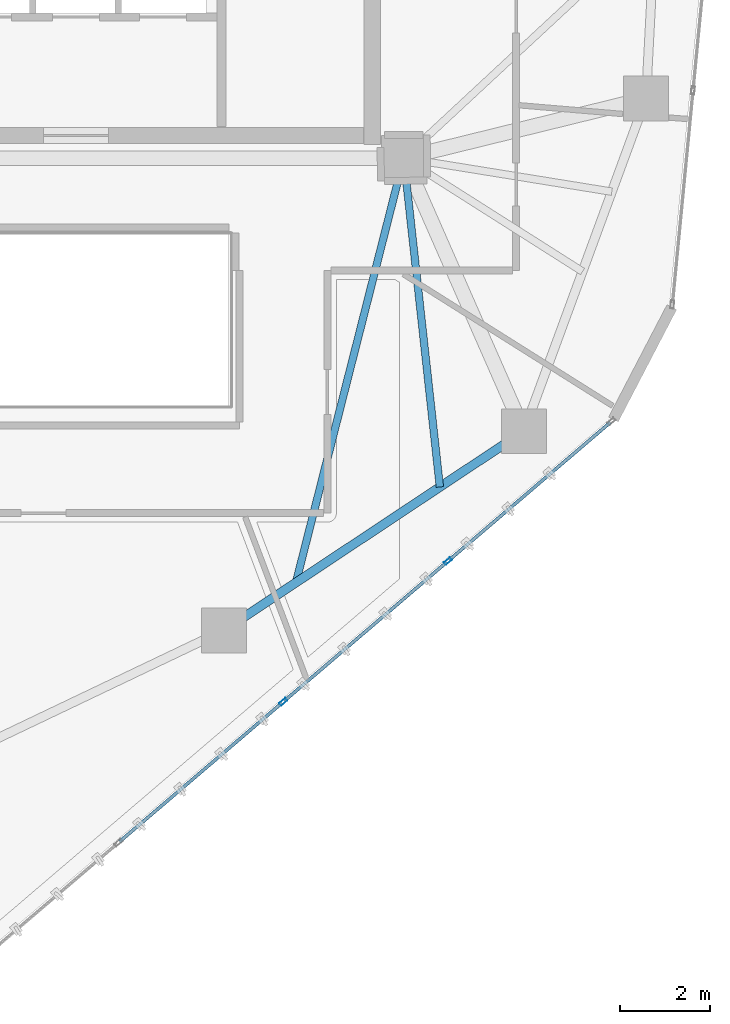
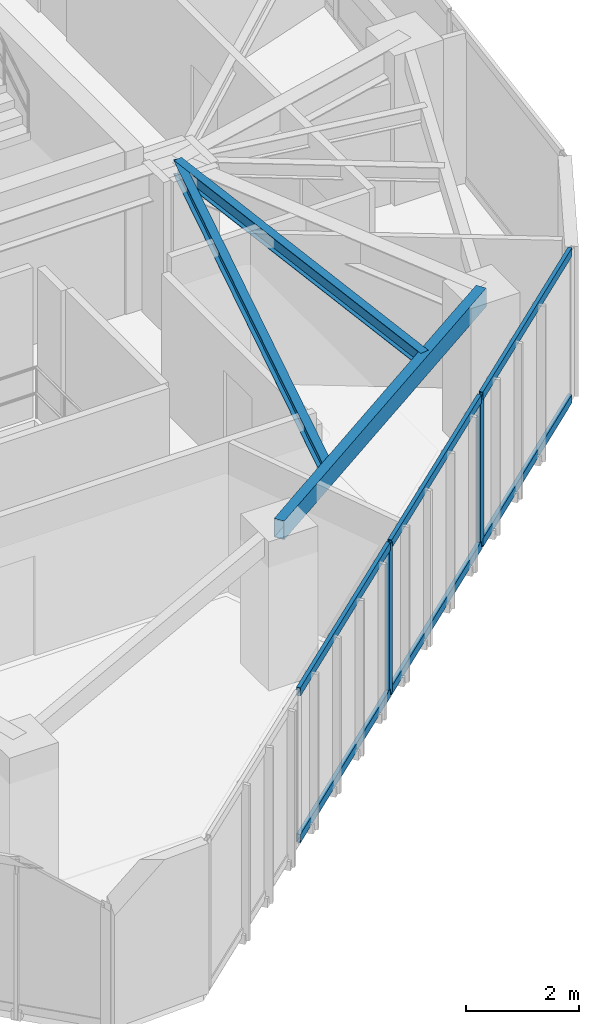
# One storey, part 5 of 20: 8 members, 3 beams, 1 element without a shape of its own.
"""IFC4 building model written with IfcOpenShell, lengths in metres."""

from ifc_helpers import new_model, si_unit, direction, frame, origin, origin_2d, place, context, subcontext, project, spatial, hollow_rectangle, i_section, extrude, source, transform, mapped, material, layer, layer_set, material_profile, profile_set, type_object, type_shapes, element, aggregate, save


model = new_model("IFC4")

# Units and contexts
model_context = context("Model", 3, precision=1e-05, world=origin(), true_north=direction((0.0, 1.0)))
body_context = subcontext(model_context, "Body", "Model", "MODEL_VIEW")
ifc_project = project(units=[si_unit("LENGTHUNIT", "METRE"), si_unit("AREAUNIT", "SQUARE_METRE"), si_unit("VOLUMEUNIT", "CUBIC_METRE"), si_unit("PLANEANGLEUNIT", "RADIAN"), si_unit("MASSUNIT", "GRAM", prefix="KILO")], contexts=[model_context])

# Site, building, storey
site_placement = place(None, origin())
site = spatial("IfcSite", under=ifc_project, at=site_placement, CompositionType="ELEMENT")
building_placement = place(site_placement, origin())
building = spatial("IfcBuilding", under=site, at=building_placement, Name="Talar Marvaseh", CompositionType="ELEMENT")
storey_placement = place(building_placement, frame((0.0, 0.0, 211.699951171875)))
storey = spatial("IfcBuildingStorey", under=building, at=storey_placement, Name="L55", CompositionType="ELEMENT", Elevation=211.699951171875)

# Beams
ifc_material_1 = material(Name="Steel S355", Category="steel")
ifc_material_profile_1 = material_profile(ifc_material_1, hollow_rectangle(XDim=0.199951171875, YDim=0.39990234375, WallThickness=0.013916015625, at=origin_2d()), Name="RHS400x200x14")
ifc_profile_set_1 = profile_set([ifc_material_profile_1], Name="Steel S355")
beam_type_1 = type_object("IfcBeamType", Name="Zone 3 Perimeter Spandrel Beam RHS400x200x14", PredefinedType="SPANDREL", material=ifc_profile_set_1)
beam_1_placement = place(storey_placement, frame((35.970947265625, 19.423095703125, 3.030029296875), z_axis=(-0.833127464163, -0.553081032452, 0.0), x_axis=(0.553081032452, -0.833127464163, 0.0)))
element("IfcBeam", 1, at=beam_1_placement, inside=storey, type_object=beam_type_1, Name="L55 Zone 3 Perimeter Spandrel Beam RHS400x200x14", PredefinedType="SPANDREL", context=body_context, shape_type="SweptSolid", body=[
    extrude(hollow_rectangle(XDim=0.199951171875, YDim=0.39990234375, WallThickness=0.013916015625, at=origin_2d()), origin(), (0.0, 0.0, 1.0), 8.00830078125),
])
ifc_material_profile_2 = material_profile(ifc_material_1, i_section(OverallWidth=0.166015625, OverallDepth=0.31298828125, WebThickness=0.006591796875, FlangeThickness=0.01123046875, at=origin_2d()), Name="W310x45")
ifc_profile_set_2 = profile_set([ifc_material_profile_2], Name="Steel S355")
beam_type_2 = type_object("IfcBeamType", Name="Zone 3 Secondary Floor Joist W310x45", PredefinedType="JOIST", material=ifc_profile_set_2)
beam_2_placement = place(storey_placement, frame((34.102783203125, 18.182861328125, 3.073486328125), z_axis=(-0.109051770147, 0.994036071492, 0.0), x_axis=(-0.994036071492, -0.109051770147, 0.0)))
element("IfcBeam", 2, at=beam_2_placement, inside=storey, type_object=beam_type_2, Name="L55 Zone 3 Secondary Floor Joist W310x45", PredefinedType="JOIST", context=body_context, shape_type="SweptSolid", body=[
    extrude(i_section(OverallWidth=0.166015625, OverallDepth=0.31298828125, WebThickness=0.006591796875, FlangeThickness=0.01123046875, at=origin_2d()), origin(), (0.0, 0.0, 1.0), 7.361083984375),
])
beam_3_placement = place(storey_placement, frame((30.900390625, 16.056884765625, 3.073486328125), z_axis=(0.246289474123, 0.96919631393, 0.0), x_axis=(-0.96919631393, 0.246289474123, 0.0)))
element("IfcBeam", 3, at=beam_3_placement, inside=storey, type_object=beam_type_2, Name="L55 Zone 3 Secondary Floor Joist W310x45", PredefinedType="JOIST", context=body_context, shape_type="SweptSolid", body=[
    extrude(i_section(OverallWidth=0.166015625, OverallDepth=0.31298828125, WebThickness=0.006591796875, FlangeThickness=0.01123046875, at=origin_2d()), origin(), (0.0, 0.0, 1.0), 9.7431640625),
])

# Curtain wall, members
ifc_material_2 = material(Name="Architectural Aluminium", Category="aluminium")
ifc_layer = layer(ifc_material_2, 0.18994140625)
ifc_layer_set = layer_set([ifc_layer], Name="Architectural Aluminium")
curtain_wall_type = type_object("IfcCurtainWallType", Name="Unitised Solar Atelier Curtain Wall Z3", PredefinedType="NOTDEFINED", material=ifc_layer_set)
curtain_wall_placement = place(storey_placement, origin())
curtain_wall = element("IfcCurtainWall", 4, at=curtain_wall_placement, inside=storey, type_object=curtain_wall_type, Name="L55 Unitised Solar Atelier Curtain Wall Z3", PredefinedType="NOTDEFINED")
ifc_material_profile_3 = material_profile(ifc_material_2, hollow_rectangle(XDim=0.074951171875, YDim=0.179931640625, WallThickness=0.0048828125, at=origin_2d()), Name="RHS180x75x5")
ifc_profile_set_3 = profile_set([ifc_material_profile_3], Name="Architectural Aluminium")
member_type_1 = type_object("IfcMemberType", Name="Unitised Curtain Wall Standard Mullion RHS180x75x5", PredefinedType="MULLION", material=ifc_profile_set_3)
shared_shape_1 = source(origin(), body_context, "Body", "SweptSolid", [
    extrude(hollow_rectangle(XDim=0.074951171875, YDim=0.179931640625, WallThickness=0.0048828125, at=origin_2d()), origin(), (0.0, 0.0, 1.0), 3.22998046875),
])
type_shapes(member_type_1, [shared_shape_1])
member_1_placement = place(storey_placement, frame((34.283203125, 16.53515625, 0.0), z_axis=(0.0, 0.0, 1.0), x_axis=(0.649564719149, -0.760306303826, 0.0)))
member_1 = element("IfcMember", 5, at=member_1_placement, type_object=member_type_1, Name="CW-Z3 mullion 2", PredefinedType="MULLION", context=body_context, shape_type="MappedRepresentation", body=[
    mapped(shared_shape_1, transform((0.0, 0.0, 0.0), x_axis=(1.0, 0.0, 0.0), y_axis=(0.0, 1.0, 0.0), z_axis=(0.0, 0.0, 1.0), scale=1.0)),
])
member_2_placement = place(storey_placement, frame((30.616943359375, 13.40283203125, 0.0), z_axis=(0.0, 0.0, 1.0), x_axis=(0.649564719149, -0.760306303826, 0.0)))
member_2 = element("IfcMember", 6, at=member_2_placement, type_object=member_type_1, Name="CW-Z3 mullion 3", PredefinedType="MULLION", context=body_context, shape_type="MappedRepresentation", body=[
    mapped(shared_shape_1, transform((0.0, 0.0, 0.0), x_axis=(1.0, 0.0, 0.0), y_axis=(0.0, 1.0, 0.0), z_axis=(0.0, 0.0, 1.0), scale=1.0)),
])
ifc_material_profile_4 = material_profile(ifc_material_2, hollow_rectangle(XDim=0.074951171875, YDim=0.179931640625, WallThickness=0.0048828125, at=origin_2d()), Name="RHS180x75x5")
ifc_profile_set_4 = profile_set([ifc_material_profile_4], Name="Architectural Aluminium")
member_type_2 = type_object("IfcMemberType", Name="Unitised Curtain Wall Transom RHS180x75x5", PredefinedType="USERDEFINED", material=ifc_profile_set_4)
shared_shape_2 = source(origin(), body_context, "Body", "SweptSolid", [
    extrude(hollow_rectangle(XDim=0.074951171875, YDim=0.179931640625, WallThickness=0.0048828125, at=origin_2d()), origin(), (0.0, 0.0, 1.0), 4.7470703125),
])
member_3_placement = place(storey_placement, frame((34.2548828125, 16.5107421875, 0.03759765625), z_axis=(-0.760322879475, -0.649545317084, 0.0), x_axis=(0.649545317084, -0.760322879475, 0.0)))
member_3 = element("IfcMember", 7, at=member_3_placement, type_object=member_type_2, Name="CW-Z3 transom 2.1", ObjectType="TRANSOM", PredefinedType="USERDEFINED", context=body_context, shape_type="MappedRepresentation", body=[
    mapped(shared_shape_2, transform((0.0, 0.0, 0.0), x_axis=(1.0, 0.0, 0.0), y_axis=(0.0, 1.0, 0.0), z_axis=(0.0, 0.0, 1.0), scale=1.0)),
])
member_4_placement = place(storey_placement, frame((34.2548828125, 16.5107421875, 3.192626953125), z_axis=(-0.760322879475, -0.649545317084, 0.0), x_axis=(0.649545317084, -0.760322879475, 0.0)))
member_4 = element("IfcMember", 8, at=member_4_placement, type_object=member_type_2, Name="CW-Z3 transom 2.2", ObjectType="TRANSOM", PredefinedType="USERDEFINED", context=body_context, shape_type="MappedRepresentation", body=[
    mapped(shared_shape_2, transform((0.0, 0.0, 0.0), x_axis=(1.0, 0.0, 0.0), y_axis=(0.0, 1.0, 0.0), z_axis=(0.0, 0.0, 1.0), scale=1.0)),
])
member_5_placement = place(storey_placement, frame((30.588623046875, 13.37841796875, 0.03759765625), z_axis=(-0.760322879475, -0.649545317084, 0.0), x_axis=(0.649545317084, -0.760322879475, 0.0)))
member_5 = element("IfcMember", 9, at=member_5_placement, type_object=member_type_2, Name="CW-Z3 transom 3.1", ObjectType="TRANSOM", PredefinedType="USERDEFINED", context=body_context, shape_type="MappedRepresentation", body=[
    mapped(shared_shape_2, transform((0.0, 0.0, 0.0), x_axis=(1.0, 0.0, 0.0), y_axis=(0.0, 1.0, 0.0), z_axis=(0.0, 0.0, 1.0), scale=1.0)),
])
member_6_placement = place(storey_placement, frame((30.588623046875, 13.37841796875, 3.192626953125), z_axis=(-0.760322879475, -0.649545317084, 0.0), x_axis=(0.649545317084, -0.760322879475, 0.0)))
member_6 = element("IfcMember", 10, at=member_6_placement, type_object=member_type_2, Name="CW-Z3 transom 3.2", ObjectType="TRANSOM", PredefinedType="USERDEFINED", context=body_context, shape_type="MappedRepresentation", body=[
    mapped(shared_shape_2, transform((0.0, 0.0, 0.0), x_axis=(1.0, 0.0, 0.0), y_axis=(0.0, 1.0, 0.0), z_axis=(0.0, 0.0, 1.0), scale=1.0)),
])
shared_shape_3 = source(origin(), body_context, "Body", "SweptSolid", [
    extrude(hollow_rectangle(XDim=0.074951171875, YDim=0.179931640625, WallThickness=0.0048828125, at=origin_2d()), origin(), (0.0, 0.0, 1.0), 4.709716796875),
])
type_shapes(member_type_2, [shared_shape_2, shared_shape_3])
member_7_placement = place(storey_placement, frame((37.892578125, 19.61865234375, 0.03759765625), z_axis=(-0.760298473161, -0.649573884719, 0.0), x_axis=(0.649573884719, -0.760298473161, 0.0)))
member_7 = element("IfcMember", 11, at=member_7_placement, type_object=member_type_2, Name="CW-Z3 transom 1.1", ObjectType="TRANSOM", PredefinedType="USERDEFINED", context=body_context, shape_type="MappedRepresentation", body=[
    mapped(shared_shape_3, transform((0.0, 0.0, 0.0), x_axis=(1.0, 0.0, 0.0), y_axis=(0.0, 1.0, 0.0), z_axis=(0.0, 0.0, 1.0), scale=1.0)),
])
member_8_placement = place(storey_placement, frame((37.892578125, 19.61865234375, 3.192626953125), z_axis=(-0.760298473161, -0.649573884719, 0.0), x_axis=(0.649573884719, -0.760298473161, 0.0)))
member_8 = element("IfcMember", 12, at=member_8_placement, type_object=member_type_2, Name="CW-Z3 transom 1.2", ObjectType="TRANSOM", PredefinedType="USERDEFINED", context=body_context, shape_type="MappedRepresentation", body=[
    mapped(shared_shape_3, transform((0.0, 0.0, 0.0), x_axis=(1.0, 0.0, 0.0), y_axis=(0.0, 1.0, 0.0), z_axis=(0.0, 0.0, 1.0), scale=1.0)),
])
aggregate(curtain_wall, [member_1, member_2, member_7, member_8, member_3, member_4, member_5, member_6])

save(model, "model.ifc")
